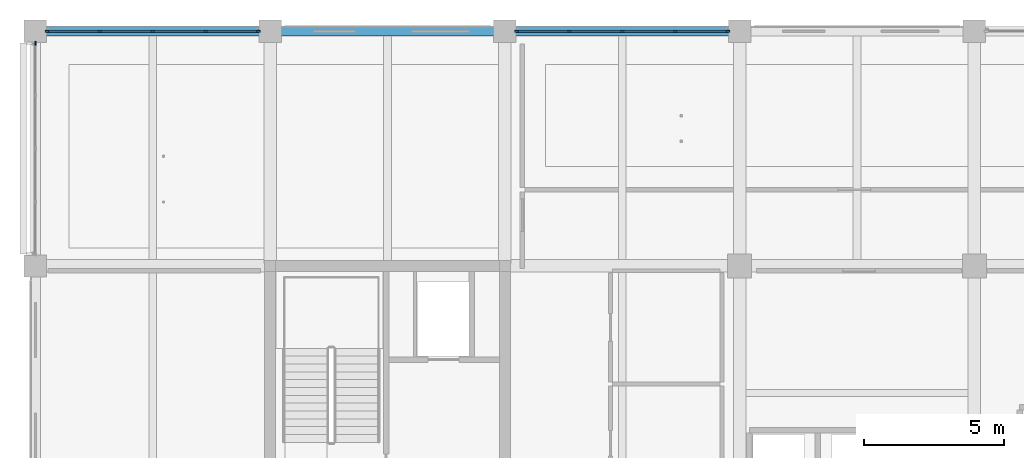
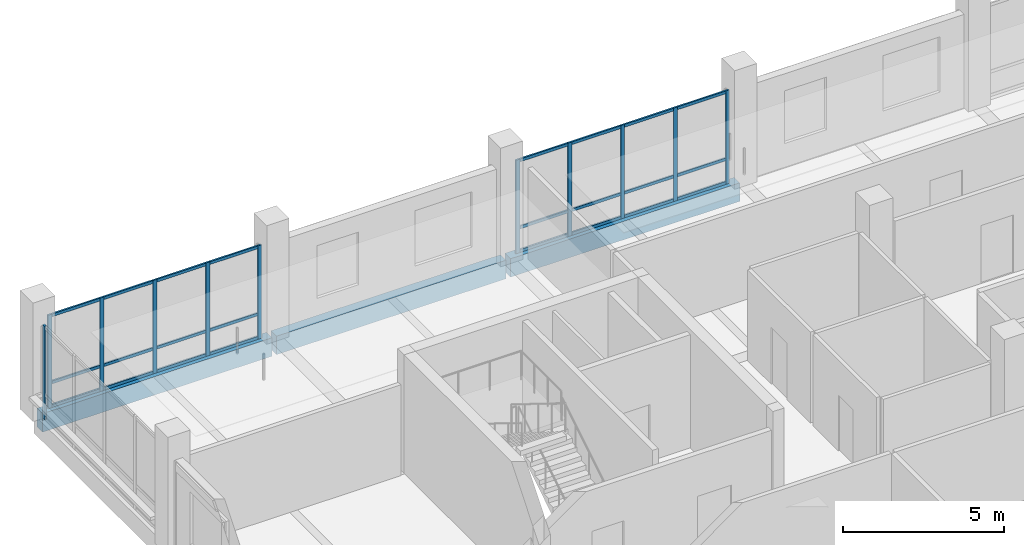
# One storey, part 8 of 36: 35 members, 3 beams, 3 elements without a shape of their own.
"""IFC4 building model written with IfcOpenShell, lengths in metres."""

from ifc_helpers import new_model, si_unit, direction, frame, origin, origin_2d, place, context, subcontext, project, spatial, rectangle, extrude, material, layer, layer_set, material_profile, profile_set, type_object, element, aggregate, save


model = new_model("IFC4")

# Units and contexts
model_context = context("Model", 3, precision=1e-05, world=origin(), true_north=direction((0.0, 1.0)))
body_context = subcontext(model_context, "Body", "Model", "MODEL_VIEW")
ifc_project = project(units=[si_unit("LENGTHUNIT", "METRE"), si_unit("AREAUNIT", "SQUARE_METRE"), si_unit("VOLUMEUNIT", "CUBIC_METRE"), si_unit("PLANEANGLEUNIT", "RADIAN"), si_unit("MASSUNIT", "GRAM", prefix="KILO")], contexts=[model_context])

# Site, building, storey
site_placement = place(None, origin())
site = spatial("IfcSite", under=ifc_project, at=site_placement, CompositionType="ELEMENT")
building_placement = place(site_placement, origin())
building = spatial("IfcBuilding", under=site, at=building_placement, Name="Telukmera Botanical Conservatory", CompositionType="ELEMENT")
storey_placement = place(building_placement, frame((0.0, 0.0, 33.0)))
storey = spatial("IfcBuildingStorey", under=building, at=storey_placement, Name="L07", CompositionType="ELEMENT", Elevation=33.0)

# Beams
ifc_material_1 = material(Name="Precast concrete C40/50", Category="concrete")
ifc_material_profile_1 = material_profile(ifc_material_1, rectangle(XDim=0.35009765625, YDim=0.699951171875, at=origin_2d()), Name="PC 350x700")
ifc_profile_set_1 = profile_set([ifc_material_profile_1], Name="Precast concrete C40/50")
beam_type = type_object("IfcBeamType", Name="Beam_SP2", PredefinedType="SPANDREL", material=ifc_profile_set_1)
beam_1_placement = place(storey_placement, frame((50.47998046875, 42.800048828125, -0.35009765625), z_axis=(1.0, 0.0, 0.0), x_axis=(0.0, 1.0, 0.0)))
element("IfcBeam", 1, at=beam_1_placement, inside=storey, type_object=beam_type, Name="Tower Grid Beam L07", PredefinedType="SPANDREL", context=body_context, shape_type="SweptSolid", body=[
    extrude(rectangle(XDim=0.35009765625, YDim=0.699951171875, at=origin_2d()), origin(), (0.0, 0.0, 1.0), 8.239990234375),
])
beam_2_placement = place(storey_placement, frame((58.8798828125, 42.800048828125, -0.35009765625), z_axis=(1.0, 0.0, 0.0), x_axis=(0.0, 1.0, 0.0)))
element("IfcBeam", 2, at=beam_2_placement, inside=storey, type_object=beam_type, Name="Tower Grid Beam L07", PredefinedType="SPANDREL", context=body_context, shape_type="SweptSolid", body=[
    extrude(rectangle(XDim=0.35009765625, YDim=0.699951171875, at=origin_2d()), origin(), (0.0, 0.0, 1.0), 8.240234375),
])
beam_3_placement = place(storey_placement, frame((67.280029296875, 42.800048828125, -0.35009765625), z_axis=(1.0, 0.0, 0.0), x_axis=(0.0, 1.0, 0.0)))
element("IfcBeam", 3, at=beam_3_placement, inside=storey, type_object=beam_type, Name="Tower Grid Beam L07", PredefinedType="SPANDREL", context=body_context, shape_type="SweptSolid", body=[
    extrude(rectangle(XDim=0.35009765625, YDim=0.699951171875, at=origin_2d()), origin(), (0.0, 0.0, 1.0), 8.239990234375),
])

# Curtain wall, members
ifc_material_2 = material(Name="Anodised aluminium 6063-T6", Category="aluminium")
ifc_layer = layer(ifc_material_2, 0.179931640625)
ifc_layer_set = layer_set([ifc_layer], Name="Anodised aluminium 6063-T6")
curtain_wall_type = type_object("IfcCurtainWallType", Name="Tower Research Laboratory Unitised Curtain Wall", PredefinedType="USERDEFINED", material=ifc_layer_set)
curtain_wall_1_placement = place(storey_placement, origin())
curtain_wall_1 = element("IfcCurtainWall", 4, at=curtain_wall_1_placement, inside=storey, type_object=curtain_wall_type, Name="Unitised Curtain Wall CW15 V4:L07:N1", ObjectType="UNITISED CURTAIN WALL", PredefinedType="USERDEFINED")
ifc_material_profile_2 = material_profile(ifc_material_2, rectangle(XDim=0.06005859375, YDim=0.139892578125, at=origin_2d()), Name="ALU MULL 60x140")
ifc_profile_set_2 = profile_set([ifc_material_profile_2], Name="Anodised aluminium 6063-T6")
member_type_1 = type_object("IfcMemberType", Name="Curtain Wall Extruded Mullion 60x140", PredefinedType="MULLION", material=ifc_profile_set_2)
member_1_placement = place(storey_placement, frame((50.83203125, 42.800048828125, 0.0), z_axis=(0.0, 0.0, 1.0), x_axis=(0.0, 1.0, 0.0)))
member_1 = element("IfcMember", 5, at=member_1_placement, type_object=member_type_1, Name="CW15 mullion 1", PredefinedType="MULLION", context=body_context, shape_type="SweptSolid", body=[
    extrude(rectangle(XDim=0.06005859375, YDim=0.139892578125, at=origin_2d()), origin(), (0.0, 0.0, 1.0), 3.550048828125),
])
member_2_placement = place(storey_placement, frame((52.700927734375, 42.800048828125, 0.0), z_axis=(0.0, 0.0, 1.0), x_axis=(0.0, 1.0, 0.0)))
member_2 = element("IfcMember", 6, at=member_2_placement, type_object=member_type_1, Name="CW15 mullion 2", PredefinedType="MULLION", context=body_context, shape_type="SweptSolid", body=[
    extrude(rectangle(XDim=0.06005859375, YDim=0.139892578125, at=origin_2d()), origin(), (0.0, 0.0, 1.0), 3.550048828125),
])
member_3_placement = place(storey_placement, frame((54.60009765625, 42.800048828125, 0.0), z_axis=(0.0, 0.0, 1.0), x_axis=(0.0, 1.0, 0.0)))
member_3 = element("IfcMember", 7, at=member_3_placement, type_object=member_type_1, Name="CW15 mullion 3", PredefinedType="MULLION", context=body_context, shape_type="SweptSolid", body=[
    extrude(rectangle(XDim=0.06005859375, YDim=0.139892578125, at=origin_2d()), origin(), (0.0, 0.0, 1.0), 3.550048828125),
])
member_4_placement = place(storey_placement, frame((56.4990234375, 42.800048828125, 0.0), z_axis=(0.0, 0.0, 1.0), x_axis=(0.0, 1.0, 0.0)))
member_4 = element("IfcMember", 8, at=member_4_placement, type_object=member_type_1, Name="CW15 mullion 4", PredefinedType="MULLION", context=body_context, shape_type="SweptSolid", body=[
    extrude(rectangle(XDim=0.06005859375, YDim=0.139892578125, at=origin_2d()), origin(), (0.0, 0.0, 1.0), 3.550048828125),
])
member_5_placement = place(storey_placement, frame((58.367919921875, 42.800048828125, 0.0), z_axis=(0.0, 0.0, 1.0), x_axis=(0.0, 1.0, 0.0)))
member_5 = element("IfcMember", 9, at=member_5_placement, type_object=member_type_1, Name="CW15 mullion 5", PredefinedType="MULLION", context=body_context, shape_type="SweptSolid", body=[
    extrude(rectangle(XDim=0.06005859375, YDim=0.139892578125, at=origin_2d()), origin(), (0.0, 0.0, 1.0), 3.550048828125),
])

curtain_wall_2_placement = place(storey_placement, origin())
curtain_wall_2 = element("IfcCurtainWall", 10, at=curtain_wall_2_placement, inside=storey, type_object=curtain_wall_type, Name="Unitised Curtain Wall CW15 V4:L07:N3", ObjectType="UNITISED CURTAIN WALL", PredefinedType="USERDEFINED")
member_6_placement = place(storey_placement, frame((67.632080078125, 42.800048828125, 0.0), z_axis=(0.0, 0.0, 1.0), x_axis=(0.0, 1.0, 0.0)))
member_6 = element("IfcMember", 11, at=member_6_placement, type_object=member_type_1, Name="CW15 mullion 1", PredefinedType="MULLION", context=body_context, shape_type="SweptSolid", body=[
    extrude(rectangle(XDim=0.06005859375, YDim=0.139892578125, at=origin_2d()), origin(), (0.0, 0.0, 1.0), 3.550048828125),
])
member_7_placement = place(storey_placement, frame((69.5009765625, 42.800048828125, 0.0), z_axis=(0.0, 0.0, 1.0), x_axis=(0.0, 1.0, 0.0)))
member_7 = element("IfcMember", 12, at=member_7_placement, type_object=member_type_1, Name="CW15 mullion 2", PredefinedType="MULLION", context=body_context, shape_type="SweptSolid", body=[
    extrude(rectangle(XDim=0.06005859375, YDim=0.139892578125, at=origin_2d()), origin(), (0.0, 0.0, 1.0), 3.550048828125),
])
member_8_placement = place(storey_placement, frame((71.39990234375, 42.800048828125, 0.0), z_axis=(0.0, 0.0, 1.0), x_axis=(0.0, 1.0, 0.0)))
member_8 = element("IfcMember", 13, at=member_8_placement, type_object=member_type_1, Name="CW15 mullion 3", PredefinedType="MULLION", context=body_context, shape_type="SweptSolid", body=[
    extrude(rectangle(XDim=0.06005859375, YDim=0.139892578125, at=origin_2d()), origin(), (0.0, 0.0, 1.0), 3.550048828125),
])
member_9_placement = place(storey_placement, frame((73.299072265625, 42.800048828125, 0.0), z_axis=(0.0, 0.0, 1.0), x_axis=(0.0, 1.0, 0.0)))
member_9 = element("IfcMember", 14, at=member_9_placement, type_object=member_type_1, Name="CW15 mullion 4", PredefinedType="MULLION", context=body_context, shape_type="SweptSolid", body=[
    extrude(rectangle(XDim=0.06005859375, YDim=0.139892578125, at=origin_2d()), origin(), (0.0, 0.0, 1.0), 3.550048828125),
])
member_10_placement = place(storey_placement, frame((75.16796875, 42.800048828125, 0.0), z_axis=(0.0, 0.0, 1.0), x_axis=(0.0, 1.0, 0.0)))
member_10 = element("IfcMember", 15, at=member_10_placement, type_object=member_type_1, Name="CW15 mullion 5", PredefinedType="MULLION", context=body_context, shape_type="SweptSolid", body=[
    extrude(rectangle(XDim=0.06005859375, YDim=0.139892578125, at=origin_2d()), origin(), (0.0, 0.0, 1.0), 3.550048828125),
])

# Curtain wall, member
curtain_wall_3_placement = place(storey_placement, origin())
curtain_wall_3 = element("IfcCurtainWall", 16, at=curtain_wall_3_placement, inside=storey, type_object=curtain_wall_type, Name="Unitised Curtain Wall CW15 V4:L07:W4", ObjectType="UNITISED CURTAIN WALL", PredefinedType="USERDEFINED")
member_11_placement = place(storey_placement, frame((50.39990234375, 42.367919921875, 0.0), z_axis=(0.0, 0.0, 1.0), x_axis=(-1.0, 0.0, 0.0)))
member_11 = element("IfcMember", 17, at=member_11_placement, type_object=member_type_1, Name="CW15 mullion 5", PredefinedType="MULLION", context=body_context, shape_type="SweptSolid", body=[
    extrude(rectangle(XDim=0.06005859375, YDim=0.139892578125, at=origin_2d()), origin(), (0.0, 0.0, 1.0), 3.550048828125),
])
aggregate(curtain_wall_3, [member_11])

# Member
ifc_material_profile_3 = material_profile(ifc_material_2, rectangle(XDim=0.06005859375, YDim=0.110107421875, at=origin_2d()), Name="ALU TRAN 60x110")
ifc_profile_set_3 = profile_set([ifc_material_profile_3], Name="Anodised aluminium 6063-T6")
member_type_2 = type_object("IfcMemberType", Name="Curtain Wall Extruded Transom 60x110", PredefinedType="USERDEFINED", material=ifc_profile_set_3)
member_12_placement = place(storey_placement, frame((50.862060546875, 42.800048828125, 0.054931640625), z_axis=(1.0, 0.0, 0.0), x_axis=(0.0, 1.0, 0.0)))
member_12 = element("IfcMember", 18, at=member_12_placement, type_object=member_type_2, Name="CW15 transom 1.1", ObjectType="TRANSOM", PredefinedType="USERDEFINED", context=body_context, shape_type="SweptSolid", body=[
    extrude(rectangle(XDim=0.06005859375, YDim=0.110107421875, at=origin_2d()), origin(), (0.0, 0.0, 1.0), 1.808837890625),
])

member_13_placement = place(storey_placement, frame((50.862060546875, 42.800048828125, 0.949951171875), z_axis=(1.0, 0.0, 0.0), x_axis=(0.0, 1.0, 0.0)))
member_13 = element("IfcMember", 19, at=member_13_placement, type_object=member_type_2, Name="CW15 transom 1.2", ObjectType="TRANSOM", PredefinedType="USERDEFINED", context=body_context, shape_type="SweptSolid", body=[
    extrude(rectangle(XDim=0.06005859375, YDim=0.110107421875, at=origin_2d()), origin(), (0.0, 0.0, 1.0), 1.808837890625),
])

member_14_placement = place(storey_placement, frame((50.862060546875, 42.800048828125, 3.4951171875), z_axis=(1.0, 0.0, 0.0), x_axis=(0.0, 1.0, 0.0)))
member_14 = element("IfcMember", 20, at=member_14_placement, type_object=member_type_2, Name="CW15 transom 1.3", ObjectType="TRANSOM", PredefinedType="USERDEFINED", context=body_context, shape_type="SweptSolid", body=[
    extrude(rectangle(XDim=0.06005859375, YDim=0.110107421875, at=origin_2d()), origin(), (0.0, 0.0, 1.0), 1.808837890625),
])

member_15_placement = place(storey_placement, frame((52.73095703125, 42.800048828125, 0.054931640625), z_axis=(1.0, 0.0, 0.0), x_axis=(0.0, 1.0, 0.0)))
member_15 = element("IfcMember", 21, at=member_15_placement, type_object=member_type_2, Name="CW15 transom 2.1", ObjectType="TRANSOM", PredefinedType="USERDEFINED", context=body_context, shape_type="SweptSolid", body=[
    extrude(rectangle(XDim=0.06005859375, YDim=0.110107421875, at=origin_2d()), origin(), (0.0, 0.0, 1.0), 1.839111328125),
])

member_16_placement = place(storey_placement, frame((52.73095703125, 42.800048828125, 0.949951171875), z_axis=(1.0, 0.0, 0.0), x_axis=(0.0, 1.0, 0.0)))
member_16 = element("IfcMember", 22, at=member_16_placement, type_object=member_type_2, Name="CW15 transom 2.2", ObjectType="TRANSOM", PredefinedType="USERDEFINED", context=body_context, shape_type="SweptSolid", body=[
    extrude(rectangle(XDim=0.06005859375, YDim=0.110107421875, at=origin_2d()), origin(), (0.0, 0.0, 1.0), 1.839111328125),
])

member_17_placement = place(storey_placement, frame((52.73095703125, 42.800048828125, 3.4951171875), z_axis=(1.0, 0.0, 0.0), x_axis=(0.0, 1.0, 0.0)))
member_17 = element("IfcMember", 23, at=member_17_placement, type_object=member_type_2, Name="CW15 transom 2.3", ObjectType="TRANSOM", PredefinedType="USERDEFINED", context=body_context, shape_type="SweptSolid", body=[
    extrude(rectangle(XDim=0.06005859375, YDim=0.110107421875, at=origin_2d()), origin(), (0.0, 0.0, 1.0), 1.839111328125),
])

member_18_placement = place(storey_placement, frame((54.6298828125, 42.800048828125, 0.054931640625), z_axis=(1.0, 0.0, 0.0), x_axis=(0.0, 1.0, 0.0)))
member_18 = element("IfcMember", 24, at=member_18_placement, type_object=member_type_2, Name="CW15 transom 3.1", ObjectType="TRANSOM", PredefinedType="USERDEFINED", context=body_context, shape_type="SweptSolid", body=[
    extrude(rectangle(XDim=0.06005859375, YDim=0.110107421875, at=origin_2d()), origin(), (0.0, 0.0, 1.0), 1.839111328125),
])

member_19_placement = place(storey_placement, frame((54.6298828125, 42.800048828125, 0.949951171875), z_axis=(1.0, 0.0, 0.0), x_axis=(0.0, 1.0, 0.0)))
member_19 = element("IfcMember", 25, at=member_19_placement, type_object=member_type_2, Name="CW15 transom 3.2", ObjectType="TRANSOM", PredefinedType="USERDEFINED", context=body_context, shape_type="SweptSolid", body=[
    extrude(rectangle(XDim=0.06005859375, YDim=0.110107421875, at=origin_2d()), origin(), (0.0, 0.0, 1.0), 1.839111328125),
])

member_20_placement = place(storey_placement, frame((54.6298828125, 42.800048828125, 3.4951171875), z_axis=(1.0, 0.0, 0.0), x_axis=(0.0, 1.0, 0.0)))
member_20 = element("IfcMember", 26, at=member_20_placement, type_object=member_type_2, Name="CW15 transom 3.3", ObjectType="TRANSOM", PredefinedType="USERDEFINED", context=body_context, shape_type="SweptSolid", body=[
    extrude(rectangle(XDim=0.06005859375, YDim=0.110107421875, at=origin_2d()), origin(), (0.0, 0.0, 1.0), 1.839111328125),
])

member_21_placement = place(storey_placement, frame((56.529052734375, 42.800048828125, 0.054931640625), z_axis=(1.0, 0.0, 0.0), x_axis=(0.0, 1.0, 0.0)))
member_21 = element("IfcMember", 27, at=member_21_placement, type_object=member_type_2, Name="CW15 transom 4.1", ObjectType="TRANSOM", PredefinedType="USERDEFINED", context=body_context, shape_type="SweptSolid", body=[
    extrude(rectangle(XDim=0.06005859375, YDim=0.110107421875, at=origin_2d()), origin(), (0.0, 0.0, 1.0), 1.808837890625),
])

member_22_placement = place(storey_placement, frame((56.529052734375, 42.800048828125, 0.949951171875), z_axis=(1.0, 0.0, 0.0), x_axis=(0.0, 1.0, 0.0)))
member_22 = element("IfcMember", 28, at=member_22_placement, type_object=member_type_2, Name="CW15 transom 4.2", ObjectType="TRANSOM", PredefinedType="USERDEFINED", context=body_context, shape_type="SweptSolid", body=[
    extrude(rectangle(XDim=0.06005859375, YDim=0.110107421875, at=origin_2d()), origin(), (0.0, 0.0, 1.0), 1.808837890625),
])

member_23_placement = place(storey_placement, frame((56.529052734375, 42.800048828125, 3.4951171875), z_axis=(1.0, 0.0, 0.0), x_axis=(0.0, 1.0, 0.0)))
member_23 = element("IfcMember", 29, at=member_23_placement, type_object=member_type_2, Name="CW15 transom 4.3", ObjectType="TRANSOM", PredefinedType="USERDEFINED", context=body_context, shape_type="SweptSolid", body=[
    extrude(rectangle(XDim=0.06005859375, YDim=0.110107421875, at=origin_2d()), origin(), (0.0, 0.0, 1.0), 1.808837890625),
])

aggregate(curtain_wall_1, [member_1, member_2, member_3, member_4, member_5, member_12, member_13, member_14, member_15, member_16, member_17, member_18, member_19, member_20, member_21, member_22, member_23])

member_24_placement = place(storey_placement, frame((67.662109375, 42.800048828125, 0.054931640625), z_axis=(1.0, 0.0, 0.0), x_axis=(0.0, 1.0, 0.0)))
member_24 = element("IfcMember", 30, at=member_24_placement, type_object=member_type_2, Name="CW15 transom 1.1", ObjectType="TRANSOM", PredefinedType="USERDEFINED", context=body_context, shape_type="SweptSolid", body=[
    extrude(rectangle(XDim=0.06005859375, YDim=0.110107421875, at=origin_2d()), origin(), (0.0, 0.0, 1.0), 1.808837890625),
])

member_25_placement = place(storey_placement, frame((67.662109375, 42.800048828125, 0.949951171875), z_axis=(1.0, 0.0, 0.0), x_axis=(0.0, 1.0, 0.0)))
member_25 = element("IfcMember", 31, at=member_25_placement, type_object=member_type_2, Name="CW15 transom 1.2", ObjectType="TRANSOM", PredefinedType="USERDEFINED", context=body_context, shape_type="SweptSolid", body=[
    extrude(rectangle(XDim=0.06005859375, YDim=0.110107421875, at=origin_2d()), origin(), (0.0, 0.0, 1.0), 1.808837890625),
])

member_26_placement = place(storey_placement, frame((67.662109375, 42.800048828125, 3.4951171875), z_axis=(1.0, 0.0, 0.0), x_axis=(0.0, 1.0, 0.0)))
member_26 = element("IfcMember", 32, at=member_26_placement, type_object=member_type_2, Name="CW15 transom 1.3", ObjectType="TRANSOM", PredefinedType="USERDEFINED", context=body_context, shape_type="SweptSolid", body=[
    extrude(rectangle(XDim=0.06005859375, YDim=0.110107421875, at=origin_2d()), origin(), (0.0, 0.0, 1.0), 1.808837890625),
])

member_27_placement = place(storey_placement, frame((69.531005859375, 42.800048828125, 0.054931640625), z_axis=(1.0, 0.0, 0.0), x_axis=(0.0, 1.0, 0.0)))
member_27 = element("IfcMember", 33, at=member_27_placement, type_object=member_type_2, Name="CW15 transom 2.1", ObjectType="TRANSOM", PredefinedType="USERDEFINED", context=body_context, shape_type="SweptSolid", body=[
    extrude(rectangle(XDim=0.06005859375, YDim=0.110107421875, at=origin_2d()), origin(), (0.0, 0.0, 1.0), 1.839111328125),
])

member_28_placement = place(storey_placement, frame((69.531005859375, 42.800048828125, 0.949951171875), z_axis=(1.0, 0.0, 0.0), x_axis=(0.0, 1.0, 0.0)))
member_28 = element("IfcMember", 34, at=member_28_placement, type_object=member_type_2, Name="CW15 transom 2.2", ObjectType="TRANSOM", PredefinedType="USERDEFINED", context=body_context, shape_type="SweptSolid", body=[
    extrude(rectangle(XDim=0.06005859375, YDim=0.110107421875, at=origin_2d()), origin(), (0.0, 0.0, 1.0), 1.839111328125),
])

member_29_placement = place(storey_placement, frame((69.531005859375, 42.800048828125, 3.4951171875), z_axis=(1.0, 0.0, 0.0), x_axis=(0.0, 1.0, 0.0)))
member_29 = element("IfcMember", 35, at=member_29_placement, type_object=member_type_2, Name="CW15 transom 2.3", ObjectType="TRANSOM", PredefinedType="USERDEFINED", context=body_context, shape_type="SweptSolid", body=[
    extrude(rectangle(XDim=0.06005859375, YDim=0.110107421875, at=origin_2d()), origin(), (0.0, 0.0, 1.0), 1.839111328125),
])

member_30_placement = place(storey_placement, frame((71.429931640625, 42.800048828125, 0.054931640625), z_axis=(1.0, 0.0, 0.0), x_axis=(0.0, 1.0, 0.0)))
member_30 = element("IfcMember", 36, at=member_30_placement, type_object=member_type_2, Name="CW15 transom 3.1", ObjectType="TRANSOM", PredefinedType="USERDEFINED", context=body_context, shape_type="SweptSolid", body=[
    extrude(rectangle(XDim=0.06005859375, YDim=0.110107421875, at=origin_2d()), origin(), (0.0, 0.0, 1.0), 1.839111328125),
])

member_31_placement = place(storey_placement, frame((71.429931640625, 42.800048828125, 0.949951171875), z_axis=(1.0, 0.0, 0.0), x_axis=(0.0, 1.0, 0.0)))
member_31 = element("IfcMember", 37, at=member_31_placement, type_object=member_type_2, Name="CW15 transom 3.2", ObjectType="TRANSOM", PredefinedType="USERDEFINED", context=body_context, shape_type="SweptSolid", body=[
    extrude(rectangle(XDim=0.06005859375, YDim=0.110107421875, at=origin_2d()), origin(), (0.0, 0.0, 1.0), 1.839111328125),
])

member_32_placement = place(storey_placement, frame((71.429931640625, 42.800048828125, 3.4951171875), z_axis=(1.0, 0.0, 0.0), x_axis=(0.0, 1.0, 0.0)))
member_32 = element("IfcMember", 38, at=member_32_placement, type_object=member_type_2, Name="CW15 transom 3.3", ObjectType="TRANSOM", PredefinedType="USERDEFINED", context=body_context, shape_type="SweptSolid", body=[
    extrude(rectangle(XDim=0.06005859375, YDim=0.110107421875, at=origin_2d()), origin(), (0.0, 0.0, 1.0), 1.839111328125),
])

member_33_placement = place(storey_placement, frame((73.3291015625, 42.800048828125, 0.054931640625), z_axis=(1.0, 0.0, 0.0), x_axis=(0.0, 1.0, 0.0)))
member_33 = element("IfcMember", 39, at=member_33_placement, type_object=member_type_2, Name="CW15 transom 4.1", ObjectType="TRANSOM", PredefinedType="USERDEFINED", context=body_context, shape_type="SweptSolid", body=[
    extrude(rectangle(XDim=0.06005859375, YDim=0.110107421875, at=origin_2d()), origin(), (0.0, 0.0, 1.0), 1.808837890625),
])

member_34_placement = place(storey_placement, frame((73.3291015625, 42.800048828125, 0.949951171875), z_axis=(1.0, 0.0, 0.0), x_axis=(0.0, 1.0, 0.0)))
member_34 = element("IfcMember", 40, at=member_34_placement, type_object=member_type_2, Name="CW15 transom 4.2", ObjectType="TRANSOM", PredefinedType="USERDEFINED", context=body_context, shape_type="SweptSolid", body=[
    extrude(rectangle(XDim=0.06005859375, YDim=0.110107421875, at=origin_2d()), origin(), (0.0, 0.0, 1.0), 1.808837890625),
])

member_35_placement = place(storey_placement, frame((73.3291015625, 42.800048828125, 3.4951171875), z_axis=(1.0, 0.0, 0.0), x_axis=(0.0, 1.0, 0.0)))
member_35 = element("IfcMember", 41, at=member_35_placement, type_object=member_type_2, Name="CW15 transom 4.3", ObjectType="TRANSOM", PredefinedType="USERDEFINED", context=body_context, shape_type="SweptSolid", body=[
    extrude(rectangle(XDim=0.06005859375, YDim=0.110107421875, at=origin_2d()), origin(), (0.0, 0.0, 1.0), 1.808837890625),
])

aggregate(curtain_wall_2, [member_6, member_7, member_8, member_9, member_10, member_24, member_25, member_26, member_27, member_28, member_29, member_30, member_31, member_32, member_33, member_34, member_35])

save(model, "model.ifc")
